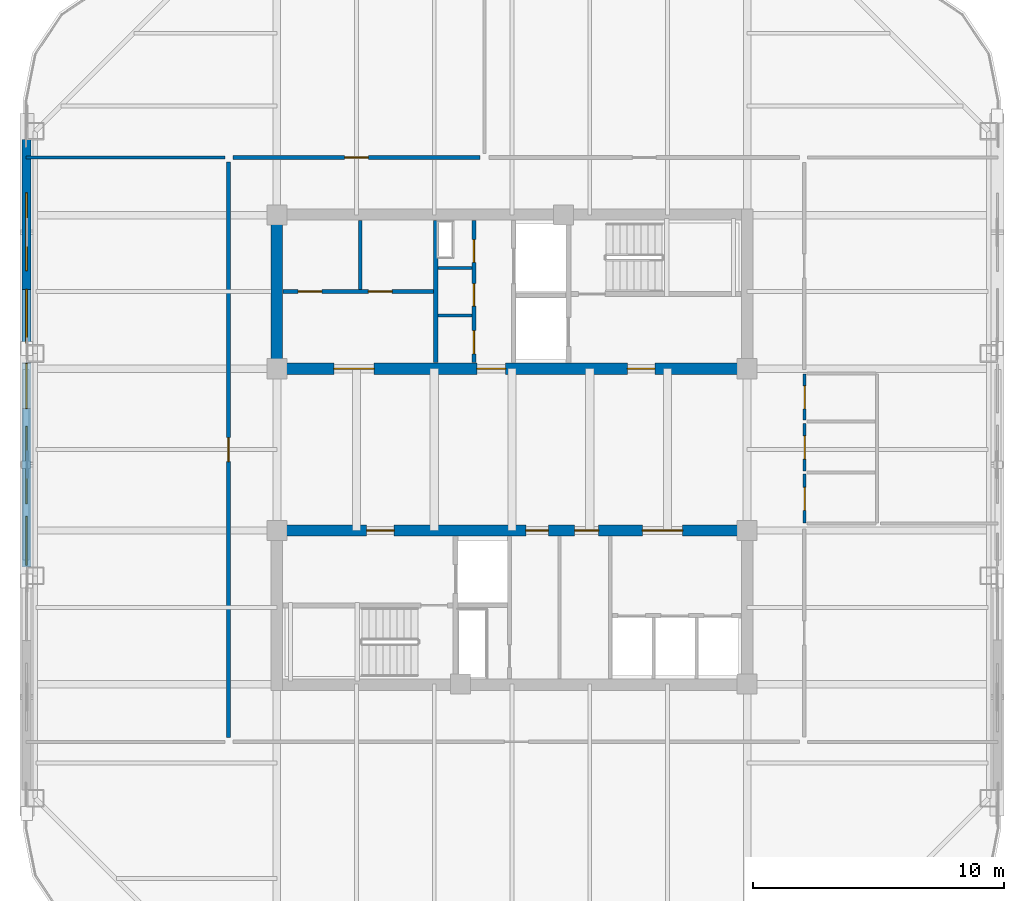
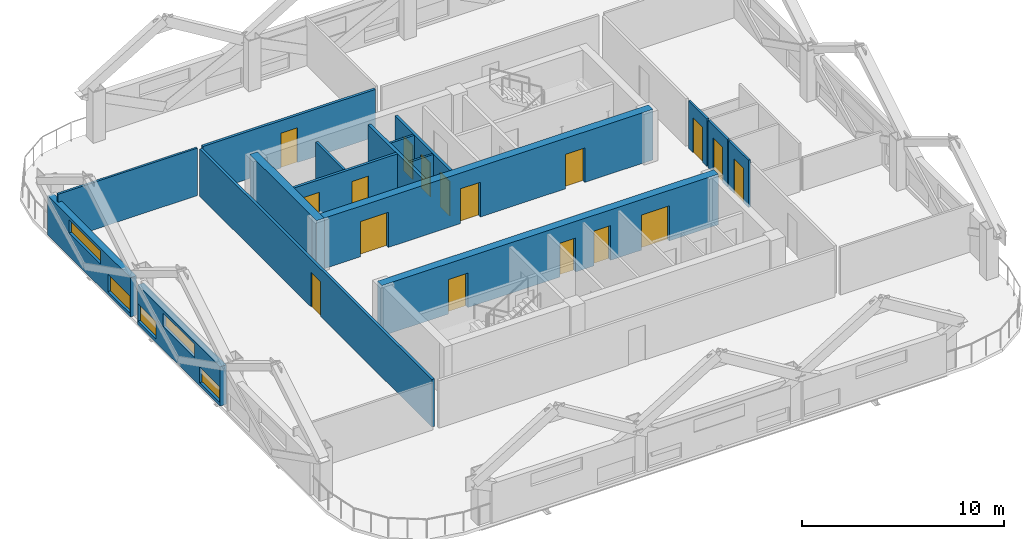
# One storey, part 4 of 9: 17 doors, 17 walls, 5 windows, 22 openings.
"""IFC4 building model written with IfcOpenShell, lengths in metres."""

from ifc_helpers import new_model, si_unit, direction, frame, frame_2d, origin, place, context, subcontext, project, spatial, rectangle, extrude, material, layer, layer_set, type_object, element, fill, save


model = new_model("IFC4")

# Units and contexts
model_context = context("Model", 3, precision=1e-05, world=origin(), true_north=direction((0.0, 1.0)))
body_context = subcontext(model_context, "Body", "Model", "MODEL_VIEW")
ifc_project = project(units=[si_unit("LENGTHUNIT", "METRE"), si_unit("AREAUNIT", "SQUARE_METRE"), si_unit("VOLUMEUNIT", "CUBIC_METRE"), si_unit("PLANEANGLEUNIT", "RADIAN"), si_unit("MASSUNIT", "GRAM", prefix="KILO")], contexts=[model_context])

# Site, building, storey
site_placement = place(None, origin())
site = spatial("IfcSite", under=ifc_project, at=site_placement, CompositionType="ELEMENT")
building_placement = place(site_placement, origin())
building = spatial("IfcBuilding", under=site, at=building_placement, Name="Qhalaya Broadcast Tower", CompositionType="ELEMENT")
storey_placement = place(building_placement, frame((0.0, 0.0, 205.60009765625)))
storey = spatial("IfcBuildingStorey", under=building, at=storey_placement, Name="L60", CompositionType="ELEMENT", Elevation=205.60009765625)

# Wall, openings, doors
ifc_material_1 = material(Name="Gypsum Acoustic Partition")
ifc_layer_1 = layer(ifc_material_1, 0.14990234375, Name="Gypsum Acoustic Partition")
ifc_layer_set_1 = layer_set([ifc_layer_1], Name="Gypsum Acoustic Partition")
wall_type_1 = type_object("IfcWallType", Name="Corridor & Tenancy Acoustic Partition 150", PredefinedType="PARTITIONING", material=ifc_layer_set_1)
wall_1_placement = place(storey_placement, frame((-1.52001953125, 4.070068359375, 0.0), z_axis=(0.0, 0.0, 1.0), x_axis=(0.0, 1.0, 0.0)))
wall_1 = element("IfcWall", 1, at=wall_1_placement, inside=storey, type_object=wall_type_1, Name="L60 Partition Wall NCW-SVL", PredefinedType="PARTITIONING", context=body_context, shape_type="SweptSolid", body=[
    extrude(rectangle(XDim=5.659912109375, YDim=0.14990234375, at=frame_2d((2.830078125, 0.0))), origin(), (0.0, 0.0, 1.0), 2.85986328125),
])
opening_1_placement = place(wall_1_placement, frame((4.0, 0.0, 0.0)))
opening_1 = element("IfcOpeningElement", 2, at=opening_1_placement, cuts=wall_1, Name="Opening D06", PredefinedType="OPENING", context=body_context, shape_type="SweptSolid", body=[
    extrude(rectangle(XDim=0.89990234375, YDim=2.050048828125, at=frame_2d((0.449951171875, 1.02490234375))), frame((0.0, 0.0869140625, 0.0), z_axis=(0.0, -1.0, 0.0), x_axis=(1.0, 0.0, 0.0)), (0.0, 0.0, 1.0), 0.173828125),
])
opening_2_placement = place(wall_1_placement, frame((2.25, 0.0, 0.0)))
opening_2 = element("IfcOpeningElement", 3, at=opening_2_placement, cuts=wall_1, Name="Opening D06", PredefinedType="OPENING", context=body_context, shape_type="SweptSolid", body=[
    extrude(rectangle(XDim=0.89990234375, YDim=2.050048828125, at=frame_2d((0.449951171875, 1.02490234375))), frame((0.0, 0.0869140625, 0.0), z_axis=(0.0, -1.0, 0.0), x_axis=(1.0, 0.0, 0.0)), (0.0, 0.0, 1.0), 0.173828125),
])
opening_3_placement = place(wall_1_placement, frame((0.35009765625, 0.0, 0.0)))
opening_3 = element("IfcOpeningElement", 4, at=opening_3_placement, cuts=wall_1, Name="Opening D12", PredefinedType="OPENING", context=body_context, shape_type="SweptSolid", body=[
    extrude(rectangle(XDim=0.919921875, YDim=2.10009765625, at=frame_2d((0.4599609375, 1.050048828125))), frame((0.0, 0.0869140625, 0.0), z_axis=(0.0, -1.0, 0.0), x_axis=(1.0, 0.0, 0.0)), (0.0, 0.0, 1.0), 0.173828125),
])
ifc_material_2 = material(Name="Timber Veneer Acoustic Door", Category="wood")
door_type_1 = type_object("IfcDoorType", Name="Accessible WC & Restroom Door D12", OperationType="NOTDEFINED", PredefinedType="DOOR", material=ifc_material_2)
door_1_placement = place(opening_3_placement, origin())
door_1 = element("IfcDoor", 5, at=door_1_placement, inside=storey, type_object=door_type_1, Name="L60 Door D-NCWC", OperationType="SINGLE_SWING_RIGHT", OverallHeight=2.10009765625, OverallWidth=0.919921875, PredefinedType="DOOR", context=body_context, shape_type="SweptSolid", body=[
    extrude(rectangle(XDim=0.919921875, YDim=2.10009765625, at=frame_2d((0.4599609375, 1.050048828125))), frame((0.0, 0.02490234375, 0.0), z_axis=(0.0, -1.0, 0.0), x_axis=(1.0, 0.0, 0.0)), (0.0, 0.0, 1.0), 0.050048828125),
])
fill(opening_3, door_1)
ifc_material_3 = material(Name="Fire-Rated Steel Door", Category="steel")
door_type_2 = type_object("IfcDoorType", Name="Riser & Electrical Shaft Access Door D06", OperationType="NOTDEFINED", PredefinedType="DOOR", material=ifc_material_3)
door_2_placement = place(opening_1_placement, origin())
door_2 = element("IfcDoor", 6, at=door_2_placement, inside=storey, type_object=door_type_2, Name="L60 Riser Shaft Access Door D-NRSR", OperationType="SINGLE_SWING_RIGHT", OverallHeight=2.050048828125, OverallWidth=0.89990234375, PredefinedType="DOOR", context=body_context, shape_type="SweptSolid", body=[
    extrude(rectangle(XDim=0.89990234375, YDim=2.050048828125, at=frame_2d((0.449951171875, 1.02490234375))), frame((0.0, 0.02490234375, 0.0), z_axis=(0.0, -1.0, 0.0), x_axis=(1.0, 0.0, 0.0)), (0.0, 0.0, 1.0), 0.050048828125),
])
fill(opening_1, door_2)
door_3_placement = place(opening_2_placement, origin())
door_3 = element("IfcDoor", 7, at=door_3_placement, inside=storey, type_object=door_type_2, Name="L60 Door D-NITR", OperationType="SINGLE_SWING_LEFT", OverallHeight=2.050048828125, OverallWidth=0.89990234375, PredefinedType="DOOR", context=body_context, shape_type="SweptSolid", body=[
    extrude(rectangle(XDim=0.89990234375, YDim=2.050048828125, at=frame_2d((0.449951171875, 1.02490234375))), frame((0.0, 0.02490234375, 0.0), z_axis=(0.0, -1.0, 0.0), x_axis=(1.0, 0.0, 0.0)), (0.0, 0.0, 1.0), 0.050048828125),
])
fill(opening_2, door_3)

wall_2_placement = place(storey_placement, frame((-9.1298828125, 6.89990234375, 0.0), z_axis=(0.0, 0.0, 1.0), x_axis=(1.0, 0.0, 0.0)))
wall_2 = element("IfcWall", 8, at=wall_2_placement, inside=storey, type_object=wall_type_1, Name="L60 Partition Wall NCW-REC1", PredefinedType="PARTITIONING", context=body_context, shape_type="SweptSolid", body=[
    extrude(rectangle(XDim=6.009765625, YDim=0.14990234375, at=frame_2d((3.0048828125, 0.0))), origin(), (0.0, 0.0, 1.0), 2.85986328125),
])
opening_4_placement = place(wall_2_placement, frame((0.60009765625, 0.0, 0.0)))
opening_4 = element("IfcOpeningElement", 9, at=opening_4_placement, cuts=wall_2, Name="Opening D10", PredefinedType="OPENING", context=body_context, shape_type="SweptSolid", body=[
    extrude(rectangle(XDim=0.949951171875, YDim=2.10009765625, at=frame_2d((0.47509765625, 1.050048828125))), frame((0.0, 0.0869140625, 0.0), z_axis=(0.0, -1.0, 0.0), x_axis=(1.0, 0.0, 0.0)), (0.0, 0.0, 1.0), 0.173828125),
])
opening_5_placement = place(wall_2_placement, frame((3.39990234375, 0.0, 0.0)))
opening_5 = element("IfcOpeningElement", 10, at=opening_5_placement, cuts=wall_2, Name="Opening D10", PredefinedType="OPENING", context=body_context, shape_type="SweptSolid", body=[
    extrude(rectangle(XDim=0.949951171875, YDim=2.10009765625, at=frame_2d((0.47509765625, 1.050048828125))), frame((0.0, 0.0869140625, 0.0), z_axis=(0.0, -1.0, 0.0), x_axis=(1.0, 0.0, 0.0)), (0.0, 0.0, 1.0), 0.173828125),
])
door_type_3 = type_object("IfcDoorType", Name="Cellular Office & Edit Booth Door D10", OperationType="NOTDEFINED", PredefinedType="DOOR", material=ifc_material_2)
door_4_placement = place(opening_4_placement, origin())
door_4 = element("IfcDoor", 11, at=door_4_placement, inside=storey, type_object=door_type_3, Name="L60 Door D-NREC1", OperationType="SINGLE_SWING_LEFT", OverallHeight=2.10009765625, OverallWidth=0.949951171875, PredefinedType="DOOR", context=body_context, shape_type="SweptSolid", body=[
    extrude(rectangle(XDim=0.949951171875, YDim=2.10009765625, at=frame_2d((0.47509765625, 1.050048828125))), frame((0.0, 0.02490234375, 0.0), z_axis=(0.0, -1.0, 0.0), x_axis=(1.0, 0.0, 0.0)), (0.0, 0.0, 1.0), 0.050048828125),
])
fill(opening_4, door_4)
door_5_placement = place(opening_5_placement, origin())
door_5 = element("IfcDoor", 12, at=door_5_placement, inside=storey, type_object=door_type_3, Name="L60 Door D-NREC2", OperationType="SINGLE_SWING_RIGHT", OverallHeight=2.10009765625, OverallWidth=0.949951171875, PredefinedType="DOOR", context=body_context, shape_type="SweptSolid", body=[
    extrude(rectangle(XDim=0.949951171875, YDim=2.10009765625, at=frame_2d((0.47509765625, 1.050048828125))), frame((0.0, 0.02490234375, 0.0), z_axis=(0.0, -1.0, 0.0), x_axis=(1.0, 0.0, 0.0)), (0.0, 0.0, 1.0), 0.050048828125),
])
fill(opening_5, door_5)

# Wall, opening, door
wall_3_placement = place(storey_placement, frame((-11.1201171875, 12.25, 0.0), z_axis=(0.0, 0.0, 1.0), x_axis=(1.0, 0.0, 0.0)))
wall_3 = element("IfcWall", 13, at=wall_3_placement, inside=storey, type_object=wall_type_1, Name="L60 Partition Wall W-COR-01", PredefinedType="PARTITIONING", context=body_context, shape_type="SweptSolid", body=[
    extrude(rectangle(XDim=9.840087890625, YDim=0.14990234375, at=frame_2d((4.919921875, 0.0))), origin(), (0.0, 0.0, 1.0), 2.85986328125),
])
opening_6_placement = place(wall_3_placement, frame((4.445068359375, 0.0, 0.0)))
opening_6 = element("IfcOpeningElement", 14, at=opening_6_placement, cuts=wall_3, Name="Opening D10", PredefinedType="OPENING", context=body_context, shape_type="SweptSolid", body=[
    extrude(rectangle(XDim=0.949951171875, YDim=2.10009765625, at=frame_2d((0.47509765625, 1.050048828125))), frame((0.0, 0.0869140625, 0.0), z_axis=(0.0, -1.0, 0.0), x_axis=(1.0, 0.0, 0.0)), (0.0, 0.0, 1.0), 0.173828125),
])
door_6_placement = place(opening_6_placement, origin())
door_6 = element("IfcDoor", 15, at=door_6_placement, inside=storey, type_object=door_type_3, Name="L60 Door D-RM01", OperationType="SINGLE_SWING_RIGHT", OverallHeight=2.10009765625, OverallWidth=0.949951171875, PredefinedType="DOOR", context=body_context, shape_type="SweptSolid", body=[
    extrude(rectangle(XDim=0.949951171875, YDim=2.10009765625, at=frame_2d((0.47509765625, 1.050048828125))), frame((0.0, 0.02490234375, 0.0), z_axis=(0.0, -1.0, 0.0), x_axis=(1.0, 0.0, 0.0)), (0.0, 0.0, 1.0), 0.050048828125),
])
fill(opening_6, door_6)

wall_4_placement = place(storey_placement, frame((-11.300048828125, -10.8701171875, 0.0), z_axis=(0.0, 0.0, 1.0), x_axis=(0.0, 1.0, 0.0)))
wall_4 = element("IfcWall", 16, at=wall_4_placement, inside=storey, type_object=wall_type_1, Name="L60 Partition Wall W-COR-04", PredefinedType="PARTITIONING", context=body_context, shape_type="SweptSolid", body=[
    extrude(rectangle(XDim=22.940185546875, YDim=0.14990234375, at=frame_2d((11.47021484375, 0.0))), origin(), (0.0, 0.0, 1.0), 2.85986328125),
])
opening_7_placement = place(wall_4_placement, frame((10.9951171875, 0.0, 0.0)))
opening_7 = element("IfcOpeningElement", 17, at=opening_7_placement, cuts=wall_4, Name="Opening D10", PredefinedType="OPENING", context=body_context, shape_type="SweptSolid", body=[
    extrude(rectangle(XDim=0.949951171875, YDim=2.10009765625, at=frame_2d((0.47509765625, 1.050048828125))), frame((0.0, 0.0869140625, 0.0), z_axis=(0.0, -1.0, 0.0), x_axis=(1.0, 0.0, 0.0)), (0.0, 0.0, 1.0), 0.173828125),
])
door_7_placement = place(opening_7_placement, origin())
door_7 = element("IfcDoor", 18, at=door_7_placement, inside=storey, type_object=door_type_3, Name="L60 Door D-RM04", OperationType="SINGLE_SWING_LEFT", OverallHeight=2.10009765625, OverallWidth=0.949951171875, PredefinedType="DOOR", context=body_context, shape_type="SweptSolid", body=[
    extrude(rectangle(XDim=0.949951171875, YDim=2.10009765625, at=frame_2d((0.47509765625, 1.050048828125))), frame((0.0, 0.02490234375, 0.0), z_axis=(0.0, -1.0, 0.0), x_axis=(1.0, 0.0, 0.0)), (0.0, 0.0, 1.0), 0.050048828125),
])
fill(opening_7, door_7)

# Wall, openings, windows
ifc_material_4 = material(Name="Precast Concrete C40/50", Category="concrete")
ifc_layer_2 = layer(ifc_material_4, 0.360107421875, Name="Precast Concrete C40/50")
ifc_layer_set_2 = layer_set([ifc_layer_2], Name="Precast Concrete C40/50")
wall_type_2 = type_object("IfcWallType", Name="Insulated Precast Terracotta Exterior Wall 360", PredefinedType="SOLIDWALL", material=ifc_layer_set_2)
wall_5_placement = place(storey_placement, frame((-19.360107421875, -4.083251953125, 0.0), z_axis=(0.0, 0.0, 1.0), x_axis=(0.0, 1.0, 0.0)))
wall_5 = element("IfcWall", 19, at=wall_5_placement, inside=storey, type_object=wall_type_2, Name="L60 Exoskeleton Diagrid Infill Wall W2", PredefinedType="SOLIDWALL", context=body_context, shape_type="SweptSolid", body=[
    extrude(rectangle(XDim=8.16650390625, YDim=0.360107421875, at=frame_2d((4.083251953125, 0.0))), origin(), (0.0, 0.0, 1.0), 2.3740234375),
])
opening_8_placement = place(wall_5_placement, frame((0.071044921875, 0.0, 0.199951171875)))
opening_8 = element("IfcOpeningElement", 20, at=opening_8_placement, cuts=wall_5, Name="Opening W13", PredefinedType="OPENING", context=body_context, shape_type="SweptSolid", body=[
    extrude(rectangle(XDim=1.949951171875, YDim=0.949951171875, at=frame_2d((0.97509765625, 0.47509765625))), frame((0.0, 0.192138671875, 0.0), z_axis=(0.0, -1.0, 0.0), x_axis=(1.0, 0.0, 0.0)), (0.0, 0.0, 1.0), 0.384033203125),
])
opening_9_placement = place(wall_5_placement, frame((2.52099609375, 0.0, 1.39990234375)))
opening_9 = element("IfcOpeningElement", 21, at=opening_9_placement, cuts=wall_5, Name="Opening W13", PredefinedType="OPENING", context=body_context, shape_type="SweptSolid", body=[
    extrude(rectangle(XDim=3.10009765625, YDim=0.800048828125, at=frame_2d((1.550048828125, 0.39990234375))), frame((0.0, 0.192138671875, 0.0), z_axis=(0.0, -1.0, 0.0), x_axis=(1.0, 0.0, 0.0)), (0.0, 0.0, 1.0), 0.384033203125),
])
opening_10_placement = place(wall_5_placement, frame((6.321044921875, 0.0, 0.199951171875)))
opening_10 = element("IfcOpeningElement", 22, at=opening_10_placement, cuts=wall_5, Name="Opening W13", PredefinedType="OPENING", context=body_context, shape_type="SweptSolid", body=[
    extrude(rectangle(XDim=1.800048828125, YDim=1.050048828125, at=frame_2d((0.89990234375, 0.52490234375))), frame((0.0, 0.192138671875, 0.0), z_axis=(0.0, -1.0, 0.0), x_axis=(1.0, 0.0, 0.0)), (0.0, 0.0, 1.0), 0.384033203125),
])
ifc_material_5 = material(Name="Solar-Control Low-E Triple Glazing", Category="glass")
window_type = type_object("IfcWindowType", Name="Upper-Block Diagrid Infill Window W13", PartitioningType="SINGLE_PANEL", PredefinedType="WINDOW", material=ifc_material_5)
window_1_placement = place(opening_8_placement, origin())
window_1 = element("IfcWindow", 23, at=window_1_placement, inside=storey, type_object=window_type, Name="L60 Diagrid Infill Window W13-W3", OverallHeight=0.949951171875, OverallWidth=1.949951171875, PartitioningType="SINGLE_PANEL", PredefinedType="WINDOW", context=body_context, shape_type="SweptSolid", body=[
    extrude(rectangle(XDim=1.949951171875, YDim=0.949951171875, at=frame_2d((0.97509765625, 0.47509765625))), frame((0.0, 0.030029296875, 0.0), z_axis=(0.0, -1.0, 0.0), x_axis=(1.0, 0.0, 0.0)), (0.0, 0.0, 1.0), 0.06005859375),
])
fill(opening_8, window_1)
window_2_placement = place(opening_9_placement, origin())
window_2 = element("IfcWindow", 24, at=window_2_placement, inside=storey, type_object=window_type, Name="L60 Diagrid Infill Window W13-W4", OverallHeight=0.800048828125, OverallWidth=3.10009765625, PartitioningType="SINGLE_PANEL", PredefinedType="WINDOW", context=body_context, shape_type="SweptSolid", body=[
    extrude(rectangle(XDim=3.10009765625, YDim=0.800048828125, at=frame_2d((1.550048828125, 0.39990234375))), frame((0.0, 0.030029296875, 0.0), z_axis=(0.0, -1.0, 0.0), x_axis=(1.0, 0.0, 0.0)), (0.0, 0.0, 1.0), 0.06005859375),
])
fill(opening_9, window_2)
window_3_placement = place(opening_10_placement, origin())
window_3 = element("IfcWindow", 25, at=window_3_placement, inside=storey, type_object=window_type, Name="L60 Diagrid Infill Window W13-W5", OverallHeight=1.050048828125, OverallWidth=1.800048828125, PartitioningType="SINGLE_PANEL", PredefinedType="WINDOW", context=body_context, shape_type="SweptSolid", body=[
    extrude(rectangle(XDim=1.800048828125, YDim=1.050048828125, at=frame_2d((0.89990234375, 0.52490234375))), frame((0.0, 0.030029296875, 0.0), z_axis=(0.0, -1.0, 0.0), x_axis=(1.0, 0.0, 0.0)), (0.0, 0.0, 1.0), 0.06005859375),
])
fill(opening_10, window_3)

wall_6_placement = place(storey_placement, frame((-19.360107421875, 4.783203125, 0.0), z_axis=(0.0, 0.0, 1.0), x_axis=(0.0, 1.0, 0.0)))
wall_6 = element("IfcWall", 26, at=wall_6_placement, inside=storey, type_object=wall_type_2, Name="L60 Exoskeleton Diagrid Infill Wall W3", PredefinedType="SOLIDWALL", context=body_context, shape_type="SweptSolid", body=[
    extrude(rectangle(XDim=8.1787109375, YDim=0.360107421875, at=frame_2d((4.08935546875, 0.0))), origin(), (0.0, 0.0, 1.0), 2.3740234375),
])
opening_11_placement = place(wall_6_placement, frame((0.054931640625, 0.0, 0.199951171875)))
opening_11 = element("IfcOpeningElement", 27, at=opening_11_placement, cuts=wall_6, Name="Opening W13", PredefinedType="OPENING", context=body_context, shape_type="SweptSolid", body=[
    extrude(rectangle(XDim=2.14990234375, YDim=1.050048828125, at=frame_2d((1.074951171875, 0.52490234375))), frame((0.0, 0.192138671875, 0.0), z_axis=(0.0, -1.0, 0.0), x_axis=(1.0, 0.0, 0.0)), (0.0, 0.0, 1.0), 0.384033203125),
])
opening_12_placement = place(wall_6_placement, frame((2.955078125, 0.0, 1.39990234375)))
opening_12 = element("IfcOpeningElement", 28, at=opening_12_placement, cuts=wall_6, Name="Opening W13", PredefinedType="OPENING", context=body_context, shape_type="SweptSolid", body=[
    extrude(rectangle(XDim=3.10009765625, YDim=0.800048828125, at=frame_2d((1.550048828125, 0.39990234375))), frame((0.0, 0.192138671875, 0.0), z_axis=(0.0, -1.0, 0.0), x_axis=(1.0, 0.0, 0.0)), (0.0, 0.0, 1.0), 0.384033203125),
])
window_4_placement = place(opening_11_placement, origin())
window_4 = element("IfcWindow", 29, at=window_4_placement, inside=storey, type_object=window_type, Name="L60 Diagrid Infill Window W13-W6", OverallHeight=1.050048828125, OverallWidth=2.14990234375, PartitioningType="SINGLE_PANEL", PredefinedType="WINDOW", context=body_context, shape_type="SweptSolid", body=[
    extrude(rectangle(XDim=2.14990234375, YDim=1.050048828125, at=frame_2d((1.074951171875, 0.52490234375))), frame((0.0, 0.030029296875, 0.0), z_axis=(0.0, -1.0, 0.0), x_axis=(1.0, 0.0, 0.0)), (0.0, 0.0, 1.0), 0.06005859375),
])
fill(opening_11, window_4)
window_5_placement = place(opening_12_placement, origin())
window_5 = element("IfcWindow", 30, at=window_5_placement, inside=storey, type_object=window_type, Name="L60 Diagrid Infill Window W13-W7", OverallHeight=0.800048828125, OverallWidth=3.10009765625, PartitioningType="SINGLE_PANEL", PredefinedType="WINDOW", context=body_context, shape_type="SweptSolid", body=[
    extrude(rectangle(XDim=3.10009765625, YDim=0.800048828125, at=frame_2d((1.550048828125, 0.39990234375))), frame((0.0, 0.030029296875, 0.0), z_axis=(0.0, -1.0, 0.0), x_axis=(1.0, 0.0, 0.0)), (0.0, 0.0, 1.0), 0.06005859375),
])
fill(opening_12, window_5)

# Walls
ifc_layer_3 = layer(ifc_material_1, 0.1201171875, Name="Gypsum Acoustic Partition")
ifc_layer_set_3 = layer_set([ifc_layer_3], Name="Gypsum Acoustic Partition")
wall_type_3 = type_object("IfcWallType", Name="Office, Booth & Sanitary Partition 120", PredefinedType="PARTITIONING", material=ifc_layer_set_3)
for number, where, z_axis, x_axis, name in (
    (31, (-2.9599609375, 5.949951171875, 0.0), (0.0, 0.0, 1.0), (1.0, 0.0, 0.0), "L60 Partition Wall NCW-VB1"),
    (32, (-2.9599609375, 7.85009765625, 0.0), (0.0, 0.0, 1.0), (1.0, 0.0, 0.0), "L60 Partition Wall NCW-VB2"),
):
    element("IfcWall", number, at=place(storey_placement, frame(where, z_axis=z_axis, x_axis=x_axis)), inside=storey, type_object=wall_type_3, Name=name, PredefinedType="PARTITIONING", context=body_context, shape_type="SweptSolid", body=[
        extrude(rectangle(XDim=1.35986328125, YDim=0.1201171875, at=frame_2d((0.679931640625, 0.0))), origin(), (0.0, 0.0, 1.0), 2.85986328125),
    ])
wall_7_placement = place(storey_placement, frame((-6.050048828125, 6.97998046875, 0.0), z_axis=(0.0, 0.0, 1.0), x_axis=(0.0, 1.0, 0.0)))
element("IfcWall", 33, at=wall_7_placement, inside=storey, type_object=wall_type_3, Name="L60 Partition Wall NCW-REC2", PredefinedType="PARTITIONING", context=body_context, shape_type="SweptSolid", body=[
    extrude(rectangle(XDim=2.75, YDim=0.1201171875, at=frame_2d((1.375, 0.0))), origin(), (0.0, 0.0, 1.0), 2.85986328125),
])

# Wall, opening, door
wall_8_placement = place(storey_placement, frame((11.669921875, -2.320068359375, 0.0), z_axis=(0.0, 0.0, 1.0), x_axis=(0.0, 1.0, 0.0)))
wall_8 = element("IfcWall", 34, at=wall_8_placement, inside=storey, type_object=wall_type_3, Name="L60 Partition Wall W-WCWA", PredefinedType="PARTITIONING", context=body_context, shape_type="SweptSolid", body=[
    extrude(rectangle(XDim=1.940185546875, YDim=0.1201171875, at=frame_2d((0.97021484375, 0.0))), origin(), (0.0, 0.0, 1.0), 2.85986328125),
])
opening_13_placement = place(wall_8_placement, frame((0.4951171875, 0.0, 0.0)))
opening_13 = element("IfcOpeningElement", 35, at=opening_13_placement, cuts=wall_8, Name="Opening D12", PredefinedType="OPENING", context=body_context, shape_type="SweptSolid", body=[
    extrude(rectangle(XDim=0.919921875, YDim=2.10009765625, at=frame_2d((0.4599609375, 1.050048828125))), frame((0.0, 0.072021484375, 0.0), z_axis=(0.0, -1.0, 0.0), x_axis=(1.0, 0.0, 0.0)), (0.0, 0.0, 1.0), 0.14404296875),
])
door_8_placement = place(opening_13_placement, origin())
door_8 = element("IfcDoor", 36, at=door_8_placement, inside=storey, type_object=door_type_1, Name="L60 Door D-WCA", OperationType="SINGLE_SWING_LEFT", OverallHeight=2.10009765625, OverallWidth=0.919921875, PredefinedType="DOOR", context=body_context, shape_type="SweptSolid", body=[
    extrude(rectangle(XDim=0.919921875, YDim=2.10009765625, at=frame_2d((0.4599609375, 1.050048828125))), frame((0.0, 0.02490234375, 0.0), z_axis=(0.0, -1.0, 0.0), x_axis=(1.0, 0.0, 0.0)), (0.0, 0.0, 1.0), 0.050048828125),
])
fill(opening_13, door_8)

wall_9_placement = place(storey_placement, frame((11.669921875, -0.25, 0.0), z_axis=(0.0, 0.0, 1.0), x_axis=(0.0, 1.0, 0.0)))
wall_9 = element("IfcWall", 37, at=wall_9_placement, inside=storey, type_object=wall_type_3, Name="L60 Partition Wall W-WCWM", PredefinedType="PARTITIONING", context=body_context, shape_type="SweptSolid", body=[
    extrude(rectangle(XDim=1.89990234375, YDim=0.1201171875, at=frame_2d((0.949951171875, 0.0))), origin(), (0.0, 0.0, 1.0), 2.85986328125),
])
opening_14_placement = place(wall_9_placement, frame((0.47509765625, 0.0, 0.0)))
opening_14 = element("IfcOpeningElement", 38, at=opening_14_placement, cuts=wall_9, Name="Opening D12", PredefinedType="OPENING", context=body_context, shape_type="SweptSolid", body=[
    extrude(rectangle(XDim=0.919921875, YDim=2.10009765625, at=frame_2d((0.4599609375, 1.050048828125))), frame((0.0, 0.072021484375, 0.0), z_axis=(0.0, -1.0, 0.0), x_axis=(1.0, 0.0, 0.0)), (0.0, 0.0, 1.0), 0.14404296875),
])
door_9_placement = place(opening_14_placement, origin())
door_9 = element("IfcDoor", 39, at=door_9_placement, inside=storey, type_object=door_type_1, Name="L60 Door D-WCM", OperationType="SINGLE_SWING_RIGHT", OverallHeight=2.10009765625, OverallWidth=0.919921875, PredefinedType="DOOR", context=body_context, shape_type="SweptSolid", body=[
    extrude(rectangle(XDim=0.919921875, YDim=2.10009765625, at=frame_2d((0.4599609375, 1.050048828125))), frame((0.0, 0.02490234375, 0.0), z_axis=(0.0, -1.0, 0.0), x_axis=(1.0, 0.0, 0.0)), (0.0, 0.0, 1.0), 0.050048828125),
])
fill(opening_14, door_9)

wall_10_placement = place(storey_placement, frame((11.669921875, 1.780029296875, 0.0), z_axis=(0.0, 0.0, 1.0), x_axis=(0.0, 1.0, 0.0)))
wall_10 = element("IfcWall", 40, at=wall_10_placement, inside=storey, type_object=wall_type_3, Name="L60 Partition Wall W-WCWF", PredefinedType="PARTITIONING", context=body_context, shape_type="SweptSolid", body=[
    extrude(rectangle(XDim=1.830078125, YDim=0.1201171875, at=frame_2d((0.9150390625, 0.0))), origin(), (0.0, 0.0, 1.0), 2.85986328125),
])
opening_15_placement = place(wall_10_placement, frame((0.43994140625, 0.0, 0.0)))
opening_15 = element("IfcOpeningElement", 41, at=opening_15_placement, cuts=wall_10, Name="Opening D12", PredefinedType="OPENING", context=body_context, shape_type="SweptSolid", body=[
    extrude(rectangle(XDim=0.919921875, YDim=2.10009765625, at=frame_2d((0.4599609375, 1.050048828125))), frame((0.0, 0.072021484375, 0.0), z_axis=(0.0, -1.0, 0.0), x_axis=(1.0, 0.0, 0.0)), (0.0, 0.0, 1.0), 0.14404296875),
])
door_10_placement = place(opening_15_placement, origin())
door_10 = element("IfcDoor", 42, at=door_10_placement, inside=storey, type_object=door_type_1, Name="L60 Door D-WCF", OperationType="SINGLE_SWING_LEFT", OverallHeight=2.10009765625, OverallWidth=0.919921875, PredefinedType="DOOR", context=body_context, shape_type="SweptSolid", body=[
    extrude(rectangle(XDim=0.919921875, YDim=2.10009765625, at=frame_2d((0.4599609375, 1.050048828125))), frame((0.0, 0.02490234375, 0.0), z_axis=(0.0, -1.0, 0.0), x_axis=(1.0, 0.0, 0.0)), (0.0, 0.0, 1.0), 0.050048828125),
])
fill(opening_15, door_10)

# Walls
wall_11_placement = place(storey_placement, frame((-19.3798828125, 12.25, 0.0), z_axis=(0.0, 0.0, 1.0), x_axis=(1.0, 0.0, 0.0)))
element("IfcWall", 43, at=wall_11_placement, inside=storey, type_object=wall_type_3, Name="L60 Partition Wall W-BNDW1", PredefinedType="PARTITIONING", context=body_context, shape_type="SweptSolid", body=[
    extrude(rectangle(XDim=7.93994140625, YDim=0.1201171875, at=frame_2d((3.969970703125, 0.0))), origin(), (0.0, 0.0, 1.0), 2.85986328125),
])
ifc_layer_4 = layer(ifc_material_1, 0.175048828125, Name="Gypsum Acoustic Partition")
ifc_layer_set_4 = layer_set([ifc_layer_4], Name="Gypsum Acoustic Partition")
wall_type_4 = type_object("IfcWallType", Name="Shaft & Riser Fire Partition 175", PredefinedType="PARTITIONING", material=ifc_layer_set_4)
wall_12_placement = place(storey_placement, frame((-3.0400390625, 4.070068359375, 0.0), z_axis=(0.0, 0.0, 1.0), x_axis=(0.0, 1.0, 0.0)))
element("IfcWall", 44, at=wall_12_placement, inside=storey, type_object=wall_type_4, Name="L60 Partition Wall NCW-VRW", PredefinedType="PARTITIONING", context=body_context, shape_type="SweptSolid", body=[
    extrude(rectangle(XDim=5.659912109375, YDim=0.175048828125, at=frame_2d((2.830078125, 0.0))), origin(), (0.0, 0.0, 1.0), 2.85986328125),
])

# Wall, openings, doors
ifc_material_6 = material(Name="Concrete C50/60", Category="concrete")
ifc_layer_5 = layer(ifc_material_6, 0.449951171875, Name="Concrete C50/60")
ifc_layer_set_5 = layer_set([ifc_layer_5], Name="Concrete C50/60")
wall_type_5 = type_object("IfcWallType", Name="Upper Split-Core Shear Wall 450", PredefinedType="SHEAR", material=ifc_layer_set_5)
wall_13_placement = place(storey_placement, frame((-9.60009765625, 3.824951171875, 0.0), z_axis=(0.0, 0.0, 1.0), x_axis=(1.0, 0.0, 0.0)))
wall_13 = element("IfcWall", 45, at=wall_13_placement, inside=storey, type_object=wall_type_5, Name="L60 Split-Core Shear Wall CW-NS", PredefinedType="SHEAR", context=body_context, shape_type="SweptSolid", body=[
    extrude(rectangle(XDim=19.2001953125, YDim=0.449951171875, at=frame_2d((9.60009765625, 0.0))), origin(), (0.0, 0.0, 1.0), 3.0498046875),
])
opening_16_placement = place(wall_13_placement, frame((14.199951171875, 0.0, 0.0)))
opening_16 = element("IfcOpeningElement", 46, at=opening_16_placement, cuts=wall_13, Name="Opening D04", PredefinedType="OPENING", context=body_context, shape_type="SweptSolid", body=[
    extrude(rectangle(XDim=1.10009765625, YDim=2.080078125, at=frame_2d((0.550048828125, 1.0400390625))), frame((0.0, 0.237060546875, 0.0), z_axis=(0.0, -1.0, 0.0), x_axis=(1.0, 0.0, 0.0)), (0.0, 0.0, 1.0), 0.473876953125),
])
opening_17_placement = place(wall_13_placement, frame((8.199951171875, 0.0, 0.0)))
opening_17 = element("IfcOpeningElement", 47, at=opening_17_placement, cuts=wall_13, Name="Opening D05", PredefinedType="OPENING", context=body_context, shape_type="SweptSolid", body=[
    extrude(rectangle(XDim=1.14990234375, YDim=2.10009765625, at=frame_2d((0.574951171875, 1.050048828125))), frame((0.0, 0.237060546875, 0.0), z_axis=(0.0, -1.0, 0.0), x_axis=(1.0, 0.0, 0.0)), (0.0, 0.0, 1.0), 0.473876953125),
])
opening_18_placement = place(wall_13_placement, frame((2.5, 0.0, 0.0)))
opening_18 = element("IfcOpeningElement", 48, at=opening_18_placement, cuts=wall_13, Name="Opening D07", PredefinedType="OPENING", context=body_context, shape_type="SweptSolid", body=[
    extrude(rectangle(XDim=1.60009765625, YDim=2.1201171875, at=frame_2d((0.800048828125, 1.06005859375))), frame((0.0, 0.237060546875, 0.0), z_axis=(0.0, -1.0, 0.0), x_axis=(1.0, 0.0, 0.0)), (0.0, 0.0, 1.0), 0.473876953125),
])
door_type_4 = type_object("IfcDoorType", Name="Firefighting Lobby Rated Door D04", OperationType="NOTDEFINED", PredefinedType="DOOR", material=ifc_material_3)
door_11_placement = place(opening_16_placement, origin())
door_11 = element("IfcDoor", 49, at=door_11_placement, inside=storey, type_object=door_type_4, Name="L60 Door D-NFF", OperationType="SINGLE_SWING_RIGHT", OverallHeight=2.080078125, OverallWidth=1.10009765625, PredefinedType="DOOR", context=body_context, shape_type="SweptSolid", body=[
    extrude(rectangle(XDim=1.10009765625, YDim=2.080078125, at=frame_2d((0.550048828125, 1.0400390625))), frame((0.0, 0.02490234375, 0.0), z_axis=(0.0, -1.0, 0.0), x_axis=(1.0, 0.0, 0.0)), (0.0, 0.0, 1.0), 0.050048828125),
])
fill(opening_16, door_11)
ifc_material_7 = material(Name="Anodised Aluminium Glazed Door", Category="aluminium")
door_type_5 = type_object("IfcDoorType", Name="Passenger Lift Lobby Double Glazed Door D07", OperationType="DOUBLE_DOOR_SINGLE_SWING", PredefinedType="DOOR", material=ifc_material_7)
door_12_placement = place(opening_18_placement, origin())
door_12 = element("IfcDoor", 50, at=door_12_placement, inside=storey, type_object=door_type_5, Name="L60 Door D-NRECV", OperationType="DOUBLE_DOOR_SINGLE_SWING", OverallHeight=2.1201171875, OverallWidth=1.60009765625, PredefinedType="DOOR", context=body_context, shape_type="SweptSolid", body=[
    extrude(rectangle(XDim=1.60009765625, YDim=2.1201171875, at=frame_2d((0.800048828125, 1.06005859375))), frame((0.0, 0.02490234375, 0.0), z_axis=(0.0, -1.0, 0.0), x_axis=(1.0, 0.0, 0.0)), (0.0, 0.0, 1.0), 0.050048828125),
])
fill(opening_18, door_12)
door_type_6 = type_object("IfcDoorType", Name="Refuge & Plant Room Fire Door D05", OperationType="NOTDEFINED", PredefinedType="DOOR", material=ifc_material_3)
door_13_placement = place(opening_17_placement, origin())
door_13 = element("IfcDoor", 51, at=door_13_placement, inside=storey, type_object=door_type_6, Name="L60 Door D-NSVL", OperationType="SINGLE_SWING_LEFT", OverallHeight=2.10009765625, OverallWidth=1.14990234375, PredefinedType="DOOR", context=body_context, shape_type="SweptSolid", body=[
    extrude(rectangle(XDim=1.14990234375, YDim=2.10009765625, at=frame_2d((0.574951171875, 1.050048828125))), frame((0.0, 0.02490234375, 0.0), z_axis=(0.0, -1.0, 0.0), x_axis=(1.0, 0.0, 0.0)), (0.0, 0.0, 1.0), 0.050048828125),
])
fill(opening_17, door_13)

# Wall
wall_14_placement = place(storey_placement, frame((-9.375, 3.60009765625, 0.0), z_axis=(0.0, 0.0, 1.0), x_axis=(0.0, 1.0, 0.0)))
element("IfcWall", 52, at=wall_14_placement, inside=storey, type_object=wall_type_5, Name="L60 Split-Core Shear Wall CW-NW", PredefinedType="SHEAR", context=body_context, shape_type="SweptSolid", body=[
    extrude(rectangle(XDim=6.599853515625, YDim=0.449951171875, at=frame_2d((3.2998046875, 0.0))), origin(), (0.0, 0.0, 1.0), 3.0498046875),
])

# Wall, openings, doors
wall_15_placement = place(storey_placement, frame((-9.60009765625, -2.625, 0.0), z_axis=(0.0, 0.0, 1.0), x_axis=(1.0, 0.0, 0.0)))
wall_15 = element("IfcWall", 53, at=wall_15_placement, inside=storey, type_object=wall_type_5, Name="L60 Split-Core Shear Wall CW-SN", PredefinedType="SHEAR", context=body_context, shape_type="SweptSolid", body=[
    extrude(rectangle(XDim=19.2001953125, YDim=0.449951171875, at=frame_2d((9.60009765625, 0.0))), origin(), (0.0, 0.0, 1.0), 3.0498046875),
])
opening_19_placement = place(wall_15_placement, frame((3.800048828125, 0.0, 0.0)))
opening_19 = element("IfcOpeningElement", 54, at=opening_19_placement, cuts=wall_15, Name="Opening D04", PredefinedType="OPENING", context=body_context, shape_type="SweptSolid", body=[
    extrude(rectangle(XDim=1.10009765625, YDim=2.080078125, at=frame_2d((0.550048828125, 1.0400390625))), frame((0.0, 0.237060546875, 0.0), z_axis=(0.0, -1.0, 0.0), x_axis=(1.0, 0.0, 0.0)), (0.0, 0.0, 1.0), 0.473876953125),
])
opening_20_placement = place(wall_15_placement, frame((10.14990234375, 0.0, 0.0)))
opening_20 = element("IfcOpeningElement", 55, at=opening_20_placement, cuts=wall_15, Name="Opening D06", PredefinedType="OPENING", context=body_context, shape_type="SweptSolid", body=[
    extrude(rectangle(XDim=0.89990234375, YDim=2.050048828125, at=frame_2d((0.449951171875, 1.02490234375))), frame((0.0, 0.237060546875, 0.0), z_axis=(0.0, -1.0, 0.0), x_axis=(1.0, 0.0, 0.0)), (0.0, 0.0, 1.0), 0.473876953125),
])
opening_21_placement = place(wall_15_placement, frame((12.10009765625, 0.0, 0.0)))
opening_21 = element("IfcOpeningElement", 56, at=opening_21_placement, cuts=wall_15, Name="Opening D10", PredefinedType="OPENING", context=body_context, shape_type="SweptSolid", body=[
    extrude(rectangle(XDim=0.949951171875, YDim=2.10009765625, at=frame_2d((0.47509765625, 1.050048828125))), frame((0.0, 0.237060546875, 0.0), z_axis=(0.0, -1.0, 0.0), x_axis=(1.0, 0.0, 0.0)), (0.0, 0.0, 1.0), 0.473876953125),
])
opening_22_placement = place(wall_15_placement, frame((14.800048828125, 0.0, 0.0)))
opening_22 = element("IfcOpeningElement", 57, at=opening_22_placement, cuts=wall_15, Name="Opening D07", PredefinedType="OPENING", context=body_context, shape_type="SweptSolid", body=[
    extrude(rectangle(XDim=1.60009765625, YDim=2.1201171875, at=frame_2d((0.800048828125, 1.06005859375))), frame((0.0, 0.237060546875, 0.0), z_axis=(0.0, -1.0, 0.0), x_axis=(1.0, 0.0, 0.0)), (0.0, 0.0, 1.0), 0.473876953125),
])
door_14_placement = place(opening_21_placement, origin())
door_14 = element("IfcDoor", 58, at=door_14_placement, inside=storey, type_object=door_type_3, Name="L60 Door D-SREC2", OperationType="SINGLE_SWING_RIGHT", OverallHeight=2.10009765625, OverallWidth=0.949951171875, PredefinedType="DOOR", context=body_context, shape_type="SweptSolid", body=[
    extrude(rectangle(XDim=0.949951171875, YDim=2.10009765625, at=frame_2d((0.47509765625, 1.050048828125))), frame((0.0, 0.02490234375, 0.0), z_axis=(0.0, -1.0, 0.0), x_axis=(1.0, 0.0, 0.0)), (0.0, 0.0, 1.0), 0.050048828125),
])
fill(opening_21, door_14)
door_15_placement = place(opening_19_placement, origin())
door_15 = element("IfcDoor", 59, at=door_15_placement, inside=storey, type_object=door_type_4, Name="L60 Door D-SFF", OperationType="SINGLE_SWING_LEFT", OverallHeight=2.080078125, OverallWidth=1.10009765625, PredefinedType="DOOR", context=body_context, shape_type="SweptSolid", body=[
    extrude(rectangle(XDim=1.10009765625, YDim=2.080078125, at=frame_2d((0.550048828125, 1.0400390625))), frame((0.0, 0.02490234375, 0.0), z_axis=(0.0, -1.0, 0.0), x_axis=(1.0, 0.0, 0.0)), (0.0, 0.0, 1.0), 0.050048828125),
])
fill(opening_19, door_15)
door_16_placement = place(opening_22_placement, origin())
door_16 = element("IfcDoor", 60, at=door_16_placement, inside=storey, type_object=door_type_5, Name="L60 Door D-SPLL", OperationType="DOUBLE_DOOR_SINGLE_SWING", OverallHeight=2.1201171875, OverallWidth=1.60009765625, PredefinedType="DOOR", context=body_context, shape_type="SweptSolid", body=[
    extrude(rectangle(XDim=1.60009765625, YDim=2.1201171875, at=frame_2d((0.800048828125, 1.06005859375))), frame((0.0, 0.02490234375, 0.0), z_axis=(0.0, -1.0, 0.0), x_axis=(1.0, 0.0, 0.0)), (0.0, 0.0, 1.0), 0.050048828125),
])
fill(opening_22, door_16)
door_17_placement = place(opening_20_placement, origin())
door_17 = element("IfcDoor", 61, at=door_17_placement, inside=storey, type_object=door_type_2, Name="L60 Door D-SREC1", OperationType="SINGLE_SWING_LEFT", OverallHeight=2.050048828125, OverallWidth=0.89990234375, PredefinedType="DOOR", context=body_context, shape_type="SweptSolid", body=[
    extrude(rectangle(XDim=0.89990234375, YDim=2.050048828125, at=frame_2d((0.449951171875, 1.02490234375))), frame((0.0, 0.02490234375, 0.0), z_axis=(0.0, -1.0, 0.0), x_axis=(1.0, 0.0, 0.0)), (0.0, 0.0, 1.0), 0.050048828125),
])
fill(opening_20, door_17)

save(model, "model.ifc")
